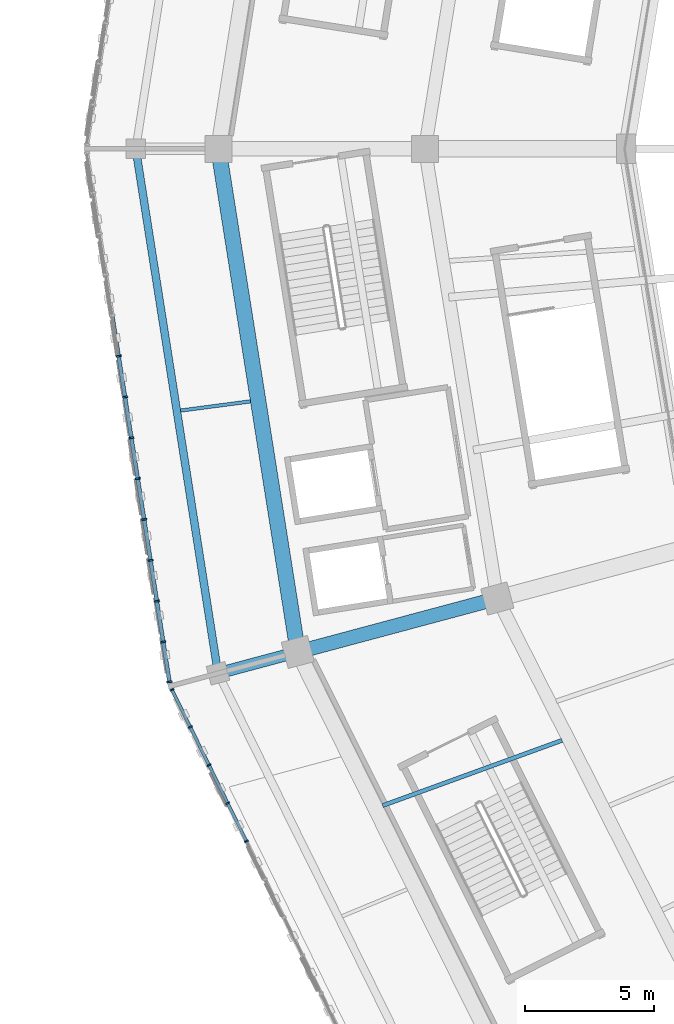
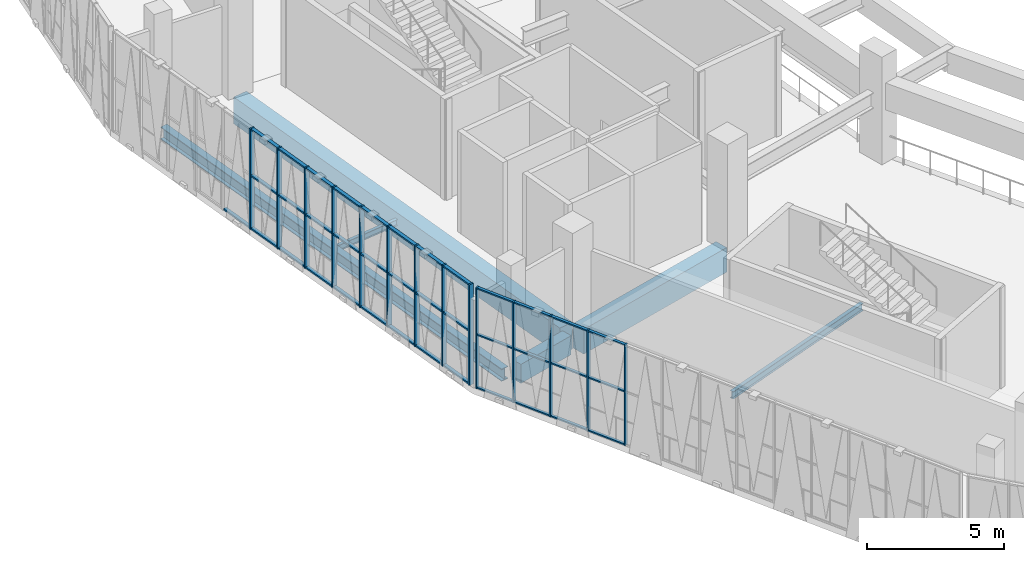
# One storey, part 19 of 179: 51 members, 6 beams, 2 elements without a shape of their own.
"""IFC4 building model written with IfcOpenShell, lengths in metres."""

from ifc_helpers import new_model, si_unit, direction, frame, origin, origin_2d, place, context, subcontext, project, spatial, rectangle, i_section, extrude, material, material_profile, profile_set, type_object, element, aggregate, save


model = new_model("IFC4")

# Units and contexts
model_context = context("Model", 3, precision=1e-05, world=origin(), true_north=direction((0.0, 1.0)))
body_context = subcontext(model_context, "Body", "Model", "MODEL_VIEW")
ifc_project = project(units=[si_unit("LENGTHUNIT", "METRE"), si_unit("AREAUNIT", "SQUARE_METRE"), si_unit("VOLUMEUNIT", "CUBIC_METRE"), si_unit("PLANEANGLEUNIT", "RADIAN"), si_unit("MASSUNIT", "GRAM", prefix="KILO")], contexts=[model_context])

# Site, building, storey
site_placement = place(None, origin())
site = spatial("IfcSite", under=ifc_project, at=site_placement, CompositionType="ELEMENT")
building_placement = place(site_placement, origin())
building = spatial("IfcBuilding", under=site, at=building_placement, Name="Zevraka Park Crest Stadium", CompositionType="ELEMENT")
storey_placement = place(building_placement, frame((0.0, 0.0, 10.199951171875)))
storey = spatial("IfcBuildingStorey", under=building, at=storey_placement, Name="L02", CompositionType="ELEMENT", Elevation=10.199951171875)

# Beams
ifc_material_1 = material(Name="Concrete C40/50", Category="concrete")
ifc_material_profile_1 = material_profile(ifc_material_1, rectangle(XDim=0.550048828125, YDim=1.10009765625, at=origin_2d()), Name="RC 1100x550")
ifc_profile_set_1 = profile_set([ifc_material_profile_1], Name="Concrete C40/50")
beam_type_1 = type_object("IfcBeamType", Name="BG02", PredefinedType="BEAM", material=ifc_profile_set_1)
beam_1_placement = place(storey_placement, frame((32.214111328125, 74.5029296875, -0.56005859375), z_axis=(-0.965968812251, -0.258658565986, 0.0), x_axis=(0.258658565986, -0.965968812251, 0.0)))
element("IfcBeam", 1, at=beam_1_placement, inside=storey, type_object=beam_type_1, Name="Radial Girder BG02 L02-CD-13", PredefinedType="BEAM", context=body_context, shape_type="SweptSolid", body=[
    extrude(rectangle(XDim=0.550048828125, YDim=1.10009765625, at=origin_2d()), origin(), (0.0, 0.0, 1.0), 7.39892578125),
])
ifc_material_2 = material(Name="Concrete C40/50", Category="concrete")
ifc_material_profile_2 = material_profile(ifc_material_2, rectangle(XDim=0.449951171875, YDim=0.85009765625, at=origin_2d()), Name="RC 850x450")
ifc_profile_set_2 = profile_set([ifc_material_profile_2], Name="Concrete C40/50")
beam_type_2 = type_object("IfcBeamType", Name="BG03", PredefinedType="BEAM", material=ifc_profile_set_2)
beam_2_placement = place(storey_placement, frame((24.487060546875, 72.43310546875, -0.43505859375), z_axis=(-0.965992888406, -0.258568636051, 0.0), x_axis=(0.258568636051, -0.965992888406, 0.0)))
element("IfcBeam", 2, at=beam_2_placement, inside=storey, type_object=beam_type_2, Name="Radial Girder BG03 L02-DE-13", PredefinedType="BEAM", context=body_context, shape_type="SweptSolid", body=[
    extrude(rectangle(XDim=0.449951171875, YDim=0.85009765625, at=origin_2d()), origin(), (0.0, 0.0, 1.0), 2.599365234375),
])

# Curtain wall, members
ifc_material_3 = material(Name="Anodised architectural aluminium and laminated safety glass", Category="aluminium")
curtain_wall_type_1 = type_object("IfcCurtainWallType", Name="CW07", PredefinedType="NOTDEFINED", material=ifc_material_3)
curtain_wall_1_placement = place(storey_placement, origin())
curtain_wall_1 = element("IfcCurtainWall", 3, at=curtain_wall_1_placement, inside=storey, type_object=curtain_wall_type_1, Name="Unitised Ring Curtain Wall CW07 L02-13", PredefinedType="NOTDEFINED")
ifc_material_4 = material(Name="Anodised architectural aluminium", Category="aluminium")
ifc_material_profile_3 = material_profile(ifc_material_4, rectangle(XDim=0.159912109375, YDim=0.06005859375, at=origin_2d()), Name="ALU MULLION 160x60")
ifc_profile_set_3 = profile_set([ifc_material_profile_3], Name="Anodised architectural aluminium")
member_type_1 = type_object("IfcMemberType", Name="CM01", PredefinedType="MULLION", material=ifc_profile_set_3)
member_1_placement = place(storey_placement, frame((19.901123046875, 71.048095703125, 0.0), z_axis=(0.0, 0.0, 1.0), x_axis=(0.897496768201, 0.441021032455, 0.0)))
member_1 = element("IfcMember", 4, at=member_1_placement, type_object=member_type_1, Name="CW07 mullion 1", PredefinedType="MULLION", context=body_context, shape_type="SweptSolid", body=[
    extrude(rectangle(XDim=0.159912109375, YDim=0.06005859375, at=origin_2d()), origin(), (0.0, 0.0, 1.0), 4.5),
])
member_2_placement = place(storey_placement, frame((20.6123046875, 69.600830078125, 0.0), z_axis=(0.0, 0.0, 1.0), x_axis=(0.897496768201, 0.441021032455, 0.0)))
member_2 = element("IfcMember", 5, at=member_2_placement, type_object=member_type_1, Name="CW07 mullion 2", PredefinedType="MULLION", context=body_context, shape_type="SweptSolid", body=[
    extrude(rectangle(XDim=0.159912109375, YDim=0.06005859375, at=origin_2d()), origin(), (0.0, 0.0, 1.0), 4.5),
])
member_3_placement = place(storey_placement, frame((21.336669921875, 68.126708984375, 0.0), z_axis=(0.0, 0.0, 1.0), x_axis=(0.897496768201, 0.441021032455, 0.0)))
member_3 = element("IfcMember", 6, at=member_3_placement, type_object=member_type_1, Name="CW07 mullion 3", PredefinedType="MULLION", context=body_context, shape_type="SweptSolid", body=[
    extrude(rectangle(XDim=0.159912109375, YDim=0.06005859375, at=origin_2d()), origin(), (0.0, 0.0, 1.0), 4.5),
])
member_4_placement = place(storey_placement, frame((22.06103515625, 66.652587890625, 0.0), z_axis=(0.0, 0.0, 1.0), x_axis=(0.897496768201, 0.441021032455, 0.0)))
member_4 = element("IfcMember", 7, at=member_4_placement, type_object=member_type_1, Name="CW07 mullion 4", PredefinedType="MULLION", context=body_context, shape_type="SweptSolid", body=[
    extrude(rectangle(XDim=0.159912109375, YDim=0.06005859375, at=origin_2d()), origin(), (0.0, 0.0, 1.0), 4.5),
])
member_5_placement = place(storey_placement, frame((22.78564453125, 65.178466796875, 0.0), z_axis=(0.0, 0.0, 1.0), x_axis=(0.897496768201, 0.441021032455, 0.0)))
member_5 = element("IfcMember", 8, at=member_5_placement, type_object=member_type_1, Name="CW07 mullion 5", PredefinedType="MULLION", context=body_context, shape_type="SweptSolid", body=[
    extrude(rectangle(XDim=0.159912109375, YDim=0.06005859375, at=origin_2d()), origin(), (0.0, 0.0, 1.0), 4.5),
])

ifc_material_5 = material(Name="Anodised architectural aluminium and laminated safety glass", Category="aluminium")
curtain_wall_type_2 = type_object("IfcCurtainWallType", Name="CW06", PredefinedType="NOTDEFINED", material=ifc_material_5)
curtain_wall_2_placement = place(storey_placement, origin())
curtain_wall_2 = element("IfcCurtainWall", 9, at=curtain_wall_2_placement, inside=storey, type_object=curtain_wall_type_2, Name="Unitised Ring Curtain Wall CW06 L02-12", PredefinedType="NOTDEFINED")
ifc_material_6 = material(Name="Anodised architectural aluminium", Category="aluminium")
ifc_material_profile_4 = material_profile(ifc_material_6, rectangle(XDim=0.199951171875, YDim=0.070068359375, at=origin_2d()), Name="ALU MULLION 200x70")
ifc_profile_set_4 = profile_set([ifc_material_profile_4], Name="Anodised architectural aluminium")
member_type_2 = type_object("IfcMemberType", Name="CM03", PredefinedType="MULLION", material=ifc_profile_set_4)
member_6_placement = place(storey_placement, frame((17.835693359375, 83.967041015625, 0.0), z_axis=(0.0, 0.0, 1.0), x_axis=(0.988028063865, 0.154274252598, 0.0)))
member_6 = element("IfcMember", 10, at=member_6_placement, type_object=member_type_2, Name="CW06 mullion 6", PredefinedType="MULLION", context=body_context, shape_type="SweptSolid", body=[
    extrude(rectangle(XDim=0.199951171875, YDim=0.070068359375, at=origin_2d()), origin(), (0.0, 0.0, 1.0), 4.5),
])
member_7_placement = place(storey_placement, frame((18.08251953125, 82.3857421875, 0.0), z_axis=(0.0, 0.0, 1.0), x_axis=(0.988028063865, 0.154274252598, 0.0)))
member_7 = element("IfcMember", 11, at=member_7_placement, type_object=member_type_2, Name="CW06 mullion 7", PredefinedType="MULLION", context=body_context, shape_type="SweptSolid", body=[
    extrude(rectangle(XDim=0.199951171875, YDim=0.070068359375, at=origin_2d()), origin(), (0.0, 0.0, 1.0), 4.5),
])
member_8_placement = place(storey_placement, frame((18.329345703125, 80.80419921875, 0.0), z_axis=(0.0, 0.0, 1.0), x_axis=(0.988028063865, 0.154274252598, 0.0)))
member_8 = element("IfcMember", 12, at=member_8_placement, type_object=member_type_2, Name="CW06 mullion 8", PredefinedType="MULLION", context=body_context, shape_type="SweptSolid", body=[
    extrude(rectangle(XDim=0.199951171875, YDim=0.070068359375, at=origin_2d()), origin(), (0.0, 0.0, 1.0), 4.5),
])
member_9_placement = place(storey_placement, frame((18.576416015625, 79.222900390625, 0.0), z_axis=(0.0, 0.0, 1.0), x_axis=(0.988028063865, 0.154274252598, 0.0)))
member_9 = element("IfcMember", 13, at=member_9_placement, type_object=member_type_2, Name="CW06 mullion 9", PredefinedType="MULLION", context=body_context, shape_type="SweptSolid", body=[
    extrude(rectangle(XDim=0.199951171875, YDim=0.070068359375, at=origin_2d()), origin(), (0.0, 0.0, 1.0), 4.5),
])
member_10_placement = place(storey_placement, frame((18.8232421875, 77.6416015625, 0.0), z_axis=(0.0, 0.0, 1.0), x_axis=(0.988028063865, 0.154274252598, 0.0)))
member_10 = element("IfcMember", 14, at=member_10_placement, type_object=member_type_2, Name="CW06 mullion 10", PredefinedType="MULLION", context=body_context, shape_type="SweptSolid", body=[
    extrude(rectangle(XDim=0.199951171875, YDim=0.070068359375, at=origin_2d()), origin(), (0.0, 0.0, 1.0), 4.5),
])
member_11_placement = place(storey_placement, frame((19.0703125, 76.06005859375, 0.0), z_axis=(0.0, 0.0, 1.0), x_axis=(0.988028063865, 0.154274252598, 0.0)))
member_11 = element("IfcMember", 15, at=member_11_placement, type_object=member_type_2, Name="CW06 mullion 11", PredefinedType="MULLION", context=body_context, shape_type="SweptSolid", body=[
    extrude(rectangle(XDim=0.199951171875, YDim=0.070068359375, at=origin_2d()), origin(), (0.0, 0.0, 1.0), 4.5),
])
member_12_placement = place(storey_placement, frame((19.317138671875, 74.478759765625, 0.0), z_axis=(0.0, 0.0, 1.0), x_axis=(0.988028063865, 0.154274252598, 0.0)))
member_12 = element("IfcMember", 16, at=member_12_placement, type_object=member_type_2, Name="CW06 mullion 12", PredefinedType="MULLION", context=body_context, shape_type="SweptSolid", body=[
    extrude(rectangle(XDim=0.199951171875, YDim=0.070068359375, at=origin_2d()), origin(), (0.0, 0.0, 1.0), 4.5),
])
member_13_placement = place(storey_placement, frame((19.56396484375, 72.8974609375, 0.0), z_axis=(0.0, 0.0, 1.0), x_axis=(0.988028063865, 0.154274252598, 0.0)))
member_13 = element("IfcMember", 17, at=member_13_placement, type_object=member_type_2, Name="CW06 mullion 13", PredefinedType="MULLION", context=body_context, shape_type="SweptSolid", body=[
    extrude(rectangle(XDim=0.199951171875, YDim=0.070068359375, at=origin_2d()), origin(), (0.0, 0.0, 1.0), 4.5),
])
member_14_placement = place(storey_placement, frame((19.8056640625, 71.3505859375, 0.0), z_axis=(0.0, 0.0, 1.0), x_axis=(0.988028063865, 0.154274252598, 0.0)))
member_14 = element("IfcMember", 18, at=member_14_placement, type_object=member_type_2, Name="CW06 mullion 14", PredefinedType="MULLION", context=body_context, shape_type="SweptSolid", body=[
    extrude(rectangle(XDim=0.199951171875, YDim=0.070068359375, at=origin_2d()), origin(), (0.0, 0.0, 1.0), 4.5),
])

# Member
ifc_material_7 = material(Name="Anodised architectural aluminium", Category="aluminium")
ifc_material_profile_5 = material_profile(ifc_material_7, rectangle(XDim=0.1201171875, YDim=0.06005859375, at=origin_2d()), Name="ALU TRANSOM 120x60")
ifc_profile_set_5 = profile_set([ifc_material_profile_5], Name="Anodised architectural aluminium")
member_type_3 = type_object("IfcMemberType", Name="CT01", PredefinedType="USERDEFINED", material=ifc_profile_set_5)
member_15_placement = place(storey_placement, frame((19.91455078125, 71.021240234375, 0.030029296875), z_axis=(0.440912769213, -0.897549959582, 0.0), x_axis=(0.897549959582, 0.440912769213, 0.0)))
member_15 = element("IfcMember", 19, at=member_15_placement, type_object=member_type_3, Name="CW07 transom 1.1", ObjectType="TRANSOM", PredefinedType="USERDEFINED", context=body_context, shape_type="SweptSolid", body=[
    extrude(rectangle(XDim=0.1201171875, YDim=0.06005859375, at=origin_2d()), origin(), (0.0, 0.0, 1.0), 1.552734375),
])

member_16_placement = place(storey_placement, frame((19.91455078125, 71.021240234375, 2.400146484375), z_axis=(0.440912769213, -0.897549959582, 0.0), x_axis=(0.897549959582, 0.440912769213, 0.0)))
member_16 = element("IfcMember", 20, at=member_16_placement, type_object=member_type_3, Name="CW07 transom 1.2", ObjectType="TRANSOM", PredefinedType="USERDEFINED", context=body_context, shape_type="SweptSolid", body=[
    extrude(rectangle(XDim=0.1201171875, YDim=0.06005859375, at=origin_2d()), origin(), (0.0, 0.0, 1.0), 1.552734375),
])

member_17_placement = place(storey_placement, frame((19.91455078125, 71.021240234375, 4.469970703125), z_axis=(0.440912769213, -0.897549959582, 0.0), x_axis=(0.897549959582, 0.440912769213, 0.0)))
member_17 = element("IfcMember", 21, at=member_17_placement, type_object=member_type_3, Name="CW07 transom 1.3", ObjectType="TRANSOM", PredefinedType="USERDEFINED", context=body_context, shape_type="SweptSolid", body=[
    extrude(rectangle(XDim=0.1201171875, YDim=0.06005859375, at=origin_2d()), origin(), (0.0, 0.0, 1.0), 1.552734375),
])

member_18_placement = place(storey_placement, frame((20.625732421875, 69.573974609375, 0.030029296875), z_axis=(0.440908240413, -0.897552184297, 0.0), x_axis=(0.897552184297, 0.440908240413, 0.0)))
member_18 = element("IfcMember", 22, at=member_18_placement, type_object=member_type_3, Name="CW07 transom 2.1", ObjectType="TRANSOM", PredefinedType="USERDEFINED", context=body_context, shape_type="SweptSolid", body=[
    extrude(rectangle(XDim=0.1201171875, YDim=0.06005859375, at=origin_2d()), origin(), (0.0, 0.0, 1.0), 1.58251953125),
])

member_19_placement = place(storey_placement, frame((20.625732421875, 69.573974609375, 2.400146484375), z_axis=(0.440908240413, -0.897552184297, 0.0), x_axis=(0.897552184297, 0.440908240413, 0.0)))
member_19 = element("IfcMember", 23, at=member_19_placement, type_object=member_type_3, Name="CW07 transom 2.2", ObjectType="TRANSOM", PredefinedType="USERDEFINED", context=body_context, shape_type="SweptSolid", body=[
    extrude(rectangle(XDim=0.1201171875, YDim=0.06005859375, at=origin_2d()), origin(), (0.0, 0.0, 1.0), 1.58251953125),
])

member_20_placement = place(storey_placement, frame((20.625732421875, 69.573974609375, 4.469970703125), z_axis=(0.440908240413, -0.897552184297, 0.0), x_axis=(0.897552184297, 0.440908240413, 0.0)))
member_20 = element("IfcMember", 24, at=member_20_placement, type_object=member_type_3, Name="CW07 transom 2.3", ObjectType="TRANSOM", PredefinedType="USERDEFINED", context=body_context, shape_type="SweptSolid", body=[
    extrude(rectangle(XDim=0.1201171875, YDim=0.06005859375, at=origin_2d()), origin(), (0.0, 0.0, 1.0), 1.58251953125),
])

member_21_placement = place(storey_placement, frame((21.35009765625, 68.099853515625, 0.030029296875), z_axis=(0.440908240413, -0.897552184297, 0.0), x_axis=(0.897552184297, 0.440908240413, 0.0)))
member_21 = element("IfcMember", 25, at=member_21_placement, type_object=member_type_3, Name="CW07 transom 3.1", ObjectType="TRANSOM", PredefinedType="USERDEFINED", context=body_context, shape_type="SweptSolid", body=[
    extrude(rectangle(XDim=0.1201171875, YDim=0.06005859375, at=origin_2d()), origin(), (0.0, 0.0, 1.0), 1.58251953125),
])

member_22_placement = place(storey_placement, frame((21.35009765625, 68.099853515625, 2.400146484375), z_axis=(0.440908240413, -0.897552184297, 0.0), x_axis=(0.897552184297, 0.440908240413, 0.0)))
member_22 = element("IfcMember", 26, at=member_22_placement, type_object=member_type_3, Name="CW07 transom 3.2", ObjectType="TRANSOM", PredefinedType="USERDEFINED", context=body_context, shape_type="SweptSolid", body=[
    extrude(rectangle(XDim=0.1201171875, YDim=0.06005859375, at=origin_2d()), origin(), (0.0, 0.0, 1.0), 1.58251953125),
])

member_23_placement = place(storey_placement, frame((21.35009765625, 68.099853515625, 4.469970703125), z_axis=(0.440908240413, -0.897552184297, 0.0), x_axis=(0.897552184297, 0.440908240413, 0.0)))
member_23 = element("IfcMember", 27, at=member_23_placement, type_object=member_type_3, Name="CW07 transom 3.3", ObjectType="TRANSOM", PredefinedType="USERDEFINED", context=body_context, shape_type="SweptSolid", body=[
    extrude(rectangle(XDim=0.1201171875, YDim=0.06005859375, at=origin_2d()), origin(), (0.0, 0.0, 1.0), 1.58251953125),
])

member_24_placement = place(storey_placement, frame((22.074462890625, 66.625732421875, 0.030029296875), z_axis=(0.440908240413, -0.897552184297, 0.0), x_axis=(0.897552184297, 0.440908240413, 0.0)))
member_24 = element("IfcMember", 28, at=member_24_placement, type_object=member_type_3, Name="CW07 transom 4.1", ObjectType="TRANSOM", PredefinedType="USERDEFINED", context=body_context, shape_type="SweptSolid", body=[
    extrude(rectangle(XDim=0.1201171875, YDim=0.06005859375, at=origin_2d()), origin(), (0.0, 0.0, 1.0), 1.58251953125),
])

member_25_placement = place(storey_placement, frame((22.074462890625, 66.625732421875, 2.400146484375), z_axis=(0.440908240413, -0.897552184297, 0.0), x_axis=(0.897552184297, 0.440908240413, 0.0)))
member_25 = element("IfcMember", 29, at=member_25_placement, type_object=member_type_3, Name="CW07 transom 4.2", ObjectType="TRANSOM", PredefinedType="USERDEFINED", context=body_context, shape_type="SweptSolid", body=[
    extrude(rectangle(XDim=0.1201171875, YDim=0.06005859375, at=origin_2d()), origin(), (0.0, 0.0, 1.0), 1.58251953125),
])

member_26_placement = place(storey_placement, frame((22.074462890625, 66.625732421875, 4.469970703125), z_axis=(0.440908240413, -0.897552184297, 0.0), x_axis=(0.897552184297, 0.440908240413, 0.0)))
member_26 = element("IfcMember", 30, at=member_26_placement, type_object=member_type_3, Name="CW07 transom 4.3", ObjectType="TRANSOM", PredefinedType="USERDEFINED", context=body_context, shape_type="SweptSolid", body=[
    extrude(rectangle(XDim=0.1201171875, YDim=0.06005859375, at=origin_2d()), origin(), (0.0, 0.0, 1.0), 1.58251953125),
])

aggregate(curtain_wall_1, [member_1, member_2, member_3, member_4, member_5, member_15, member_16, member_17, member_18, member_19, member_20, member_21, member_22, member_23, member_24, member_25, member_26])

ifc_material_8 = material(Name="Anodised architectural aluminium", Category="aluminium")
ifc_material_profile_6 = material_profile(ifc_material_8, rectangle(XDim=0.14990234375, YDim=0.070068359375, at=origin_2d()), Name="ALU TRANSOM 150x70")
ifc_profile_set_6 = profile_set([ifc_material_profile_6], Name="Anodised architectural aluminium")
member_type_4 = type_object("IfcMemberType", Name="CT03", PredefinedType="USERDEFINED", material=ifc_profile_set_6)
member_27_placement = place(storey_placement, frame((17.593994140625, 85.513916015625, 0.03515625), z_axis=(0.154406075629, -0.988007471535, 0.0), x_axis=(0.988007471535, 0.154406075629, 0.0)))
member_27 = element("IfcMember", 31, at=member_27_placement, type_object=member_type_4, Name="CW06 transom 5.1", ObjectType="TRANSOM", PredefinedType="USERDEFINED", context=body_context, shape_type="SweptSolid", body=[
    extrude(rectangle(XDim=0.14990234375, YDim=0.070068359375, at=origin_2d()), origin(), (0.0, 0.0, 1.0), 1.530517578125),
])

member_28_placement = place(storey_placement, frame((17.841064453125, 83.9326171875, 0.03515625), z_axis=(0.154226055514, -0.988035588327, 0.0), x_axis=(0.988035588327, 0.154226055514, 0.0)))
member_28 = element("IfcMember", 32, at=member_28_placement, type_object=member_type_4, Name="CW06 transom 6.1", ObjectType="TRANSOM", PredefinedType="USERDEFINED", context=body_context, shape_type="SweptSolid", body=[
    extrude(rectangle(XDim=0.14990234375, YDim=0.070068359375, at=origin_2d()), origin(), (0.0, 0.0, 1.0), 1.53076171875),
])

member_29_placement = place(storey_placement, frame((17.841064453125, 83.9326171875, 2.400146484375), z_axis=(0.154226055514, -0.988035588327, 0.0), x_axis=(0.988035588327, 0.154226055514, 0.0)))
member_29 = element("IfcMember", 33, at=member_29_placement, type_object=member_type_4, Name="CW06 transom 6.2", ObjectType="TRANSOM", PredefinedType="USERDEFINED", context=body_context, shape_type="SweptSolid", body=[
    extrude(rectangle(XDim=0.14990234375, YDim=0.070068359375, at=origin_2d()), origin(), (0.0, 0.0, 1.0), 1.53076171875),
])

member_30_placement = place(storey_placement, frame((17.841064453125, 83.9326171875, 4.465087890625), z_axis=(0.154226055514, -0.988035588327, 0.0), x_axis=(0.988035588327, 0.154226055514, 0.0)))
member_30 = element("IfcMember", 34, at=member_30_placement, type_object=member_type_4, Name="CW06 transom 6.3", ObjectType="TRANSOM", PredefinedType="USERDEFINED", context=body_context, shape_type="SweptSolid", body=[
    extrude(rectangle(XDim=0.14990234375, YDim=0.070068359375, at=origin_2d()), origin(), (0.0, 0.0, 1.0), 1.53076171875),
])

member_31_placement = place(storey_placement, frame((18.087890625, 82.35107421875, 0.03515625), z_axis=(0.154250362395, -0.988031793872, 0.0), x_axis=(0.988031793872, 0.154250362395, 0.0)))
member_31 = element("IfcMember", 35, at=member_31_placement, type_object=member_type_4, Name="CW06 transom 7.1", ObjectType="TRANSOM", PredefinedType="USERDEFINED", context=body_context, shape_type="SweptSolid", body=[
    extrude(rectangle(XDim=0.14990234375, YDim=0.070068359375, at=origin_2d()), origin(), (0.0, 0.0, 1.0), 1.530517578125),
])

member_32_placement = place(storey_placement, frame((18.087890625, 82.35107421875, 2.400146484375), z_axis=(0.154250362395, -0.988031793872, 0.0), x_axis=(0.988031793872, 0.154250362395, 0.0)))
member_32 = element("IfcMember", 36, at=member_32_placement, type_object=member_type_4, Name="CW06 transom 7.2", ObjectType="TRANSOM", PredefinedType="USERDEFINED", context=body_context, shape_type="SweptSolid", body=[
    extrude(rectangle(XDim=0.14990234375, YDim=0.070068359375, at=origin_2d()), origin(), (0.0, 0.0, 1.0), 1.530517578125),
])

member_33_placement = place(storey_placement, frame((18.087890625, 82.35107421875, 4.465087890625), z_axis=(0.154250362395, -0.988031793872, 0.0), x_axis=(0.988031793872, 0.154250362395, 0.0)))
member_33 = element("IfcMember", 37, at=member_33_placement, type_object=member_type_4, Name="CW06 transom 7.3", ObjectType="TRANSOM", PredefinedType="USERDEFINED", context=body_context, shape_type="SweptSolid", body=[
    extrude(rectangle(XDim=0.14990234375, YDim=0.070068359375, at=origin_2d()), origin(), (0.0, 0.0, 1.0), 1.530517578125),
])

member_34_placement = place(storey_placement, frame((18.3349609375, 80.769775390625, 0.03515625), z_axis=(0.154250362395, -0.988031793872, 0.0), x_axis=(0.988031793872, 0.154250362395, 0.0)))
member_34 = element("IfcMember", 38, at=member_34_placement, type_object=member_type_4, Name="CW06 transom 8.1", ObjectType="TRANSOM", PredefinedType="USERDEFINED", context=body_context, shape_type="SweptSolid", body=[
    extrude(rectangle(XDim=0.14990234375, YDim=0.070068359375, at=origin_2d()), origin(), (0.0, 0.0, 1.0), 1.530517578125),
])

member_35_placement = place(storey_placement, frame((18.3349609375, 80.769775390625, 2.400146484375), z_axis=(0.154250362395, -0.988031793872, 0.0), x_axis=(0.988031793872, 0.154250362395, 0.0)))
member_35 = element("IfcMember", 39, at=member_35_placement, type_object=member_type_4, Name="CW06 transom 8.2", ObjectType="TRANSOM", PredefinedType="USERDEFINED", context=body_context, shape_type="SweptSolid", body=[
    extrude(rectangle(XDim=0.14990234375, YDim=0.070068359375, at=origin_2d()), origin(), (0.0, 0.0, 1.0), 1.530517578125),
])

member_36_placement = place(storey_placement, frame((18.3349609375, 80.769775390625, 4.465087890625), z_axis=(0.154250362395, -0.988031793872, 0.0), x_axis=(0.988031793872, 0.154250362395, 0.0)))
member_36 = element("IfcMember", 40, at=member_36_placement, type_object=member_type_4, Name="CW06 transom 8.3", ObjectType="TRANSOM", PredefinedType="USERDEFINED", context=body_context, shape_type="SweptSolid", body=[
    extrude(rectangle(XDim=0.14990234375, YDim=0.070068359375, at=origin_2d()), origin(), (0.0, 0.0, 1.0), 1.530517578125),
])

member_37_placement = place(storey_placement, frame((18.581787109375, 79.188232421875, 0.03515625), z_axis=(0.154250362395, -0.988031793872, 0.0), x_axis=(0.988031793872, 0.154250362395, 0.0)))
member_37 = element("IfcMember", 41, at=member_37_placement, type_object=member_type_4, Name="CW06 transom 9.1", ObjectType="TRANSOM", PredefinedType="USERDEFINED", context=body_context, shape_type="SweptSolid", body=[
    extrude(rectangle(XDim=0.14990234375, YDim=0.070068359375, at=origin_2d()), origin(), (0.0, 0.0, 1.0), 1.530517578125),
])

member_38_placement = place(storey_placement, frame((18.581787109375, 79.188232421875, 2.400146484375), z_axis=(0.154250362395, -0.988031793872, 0.0), x_axis=(0.988031793872, 0.154250362395, 0.0)))
member_38 = element("IfcMember", 42, at=member_38_placement, type_object=member_type_4, Name="CW06 transom 9.2", ObjectType="TRANSOM", PredefinedType="USERDEFINED", context=body_context, shape_type="SweptSolid", body=[
    extrude(rectangle(XDim=0.14990234375, YDim=0.070068359375, at=origin_2d()), origin(), (0.0, 0.0, 1.0), 1.530517578125),
])

member_39_placement = place(storey_placement, frame((18.581787109375, 79.188232421875, 4.465087890625), z_axis=(0.154250362395, -0.988031793872, 0.0), x_axis=(0.988031793872, 0.154250362395, 0.0)))
member_39 = element("IfcMember", 43, at=member_39_placement, type_object=member_type_4, Name="CW06 transom 9.3", ObjectType="TRANSOM", PredefinedType="USERDEFINED", context=body_context, shape_type="SweptSolid", body=[
    extrude(rectangle(XDim=0.14990234375, YDim=0.070068359375, at=origin_2d()), origin(), (0.0, 0.0, 1.0), 1.530517578125),
])

member_40_placement = place(storey_placement, frame((18.82861328125, 77.60693359375, 0.03515625), z_axis=(0.154406075629, -0.988007471535, 0.0), x_axis=(0.988007471535, 0.154406075629, 0.0)))
member_40 = element("IfcMember", 44, at=member_40_placement, type_object=member_type_4, Name="CW06 transom 10.1", ObjectType="TRANSOM", PredefinedType="USERDEFINED", context=body_context, shape_type="SweptSolid", body=[
    extrude(rectangle(XDim=0.14990234375, YDim=0.070068359375, at=origin_2d()), origin(), (0.0, 0.0, 1.0), 1.530517578125),
])

member_41_placement = place(storey_placement, frame((18.82861328125, 77.60693359375, 2.400146484375), z_axis=(0.154406075629, -0.988007471535, 0.0), x_axis=(0.988007471535, 0.154406075629, 0.0)))
member_41 = element("IfcMember", 45, at=member_41_placement, type_object=member_type_4, Name="CW06 transom 10.2", ObjectType="TRANSOM", PredefinedType="USERDEFINED", context=body_context, shape_type="SweptSolid", body=[
    extrude(rectangle(XDim=0.14990234375, YDim=0.070068359375, at=origin_2d()), origin(), (0.0, 0.0, 1.0), 1.530517578125),
])

member_42_placement = place(storey_placement, frame((18.82861328125, 77.60693359375, 4.465087890625), z_axis=(0.154406075629, -0.988007471535, 0.0), x_axis=(0.988007471535, 0.154406075629, 0.0)))
member_42 = element("IfcMember", 46, at=member_42_placement, type_object=member_type_4, Name="CW06 transom 10.3", ObjectType="TRANSOM", PredefinedType="USERDEFINED", context=body_context, shape_type="SweptSolid", body=[
    extrude(rectangle(XDim=0.14990234375, YDim=0.070068359375, at=origin_2d()), origin(), (0.0, 0.0, 1.0), 1.530517578125),
])

member_43_placement = place(storey_placement, frame((19.07568359375, 76.025634765625, 0.03515625), z_axis=(0.154250362395, -0.988031793872, 0.0), x_axis=(0.988031793872, 0.154250362395, 0.0)))
member_43 = element("IfcMember", 47, at=member_43_placement, type_object=member_type_4, Name="CW06 transom 11.1", ObjectType="TRANSOM", PredefinedType="USERDEFINED", context=body_context, shape_type="SweptSolid", body=[
    extrude(rectangle(XDim=0.14990234375, YDim=0.070068359375, at=origin_2d()), origin(), (0.0, 0.0, 1.0), 1.530517578125),
])

member_44_placement = place(storey_placement, frame((19.07568359375, 76.025634765625, 2.400146484375), z_axis=(0.154250362395, -0.988031793872, 0.0), x_axis=(0.988031793872, 0.154250362395, 0.0)))
member_44 = element("IfcMember", 48, at=member_44_placement, type_object=member_type_4, Name="CW06 transom 11.2", ObjectType="TRANSOM", PredefinedType="USERDEFINED", context=body_context, shape_type="SweptSolid", body=[
    extrude(rectangle(XDim=0.14990234375, YDim=0.070068359375, at=origin_2d()), origin(), (0.0, 0.0, 1.0), 1.530517578125),
])

member_45_placement = place(storey_placement, frame((19.07568359375, 76.025634765625, 4.465087890625), z_axis=(0.154250362395, -0.988031793872, 0.0), x_axis=(0.988031793872, 0.154250362395, 0.0)))
member_45 = element("IfcMember", 49, at=member_45_placement, type_object=member_type_4, Name="CW06 transom 11.3", ObjectType="TRANSOM", PredefinedType="USERDEFINED", context=body_context, shape_type="SweptSolid", body=[
    extrude(rectangle(XDim=0.14990234375, YDim=0.070068359375, at=origin_2d()), origin(), (0.0, 0.0, 1.0), 1.530517578125),
])

member_46_placement = place(storey_placement, frame((19.322509765625, 74.444091796875, 0.03515625), z_axis=(0.154250362395, -0.988031793872, 0.0), x_axis=(0.988031793872, 0.154250362395, 0.0)))
member_46 = element("IfcMember", 50, at=member_46_placement, type_object=member_type_4, Name="CW06 transom 12.1", ObjectType="TRANSOM", PredefinedType="USERDEFINED", context=body_context, shape_type="SweptSolid", body=[
    extrude(rectangle(XDim=0.14990234375, YDim=0.070068359375, at=origin_2d()), origin(), (0.0, 0.0, 1.0), 1.530517578125),
])

member_47_placement = place(storey_placement, frame((19.322509765625, 74.444091796875, 2.400146484375), z_axis=(0.154250362395, -0.988031793872, 0.0), x_axis=(0.988031793872, 0.154250362395, 0.0)))
member_47 = element("IfcMember", 51, at=member_47_placement, type_object=member_type_4, Name="CW06 transom 12.2", ObjectType="TRANSOM", PredefinedType="USERDEFINED", context=body_context, shape_type="SweptSolid", body=[
    extrude(rectangle(XDim=0.14990234375, YDim=0.070068359375, at=origin_2d()), origin(), (0.0, 0.0, 1.0), 1.530517578125),
])

member_48_placement = place(storey_placement, frame((19.322509765625, 74.444091796875, 4.465087890625), z_axis=(0.154250362395, -0.988031793872, 0.0), x_axis=(0.988031793872, 0.154250362395, 0.0)))
member_48 = element("IfcMember", 52, at=member_48_placement, type_object=member_type_4, Name="CW06 transom 12.3", ObjectType="TRANSOM", PredefinedType="USERDEFINED", context=body_context, shape_type="SweptSolid", body=[
    extrude(rectangle(XDim=0.14990234375, YDim=0.070068359375, at=origin_2d()), origin(), (0.0, 0.0, 1.0), 1.530517578125),
])

member_49_placement = place(storey_placement, frame((19.569580078125, 72.86279296875, 0.03515625), z_axis=(0.15427727598, -0.988027591779, 0.0), x_axis=(0.988027591779, 0.15427727598, 0.0)))
member_49 = element("IfcMember", 53, at=member_49_placement, type_object=member_type_4, Name="CW06 transom 13.1", ObjectType="TRANSOM", PredefinedType="USERDEFINED", context=body_context, shape_type="SweptSolid", body=[
    extrude(rectangle(XDim=0.14990234375, YDim=0.070068359375, at=origin_2d()), origin(), (0.0, 0.0, 1.0), 1.495361328125),
])

member_50_placement = place(storey_placement, frame((19.569580078125, 72.86279296875, 2.400146484375), z_axis=(0.15427727598, -0.988027591779, 0.0), x_axis=(0.988027591779, 0.15427727598, 0.0)))
member_50 = element("IfcMember", 54, at=member_50_placement, type_object=member_type_4, Name="CW06 transom 13.2", ObjectType="TRANSOM", PredefinedType="USERDEFINED", context=body_context, shape_type="SweptSolid", body=[
    extrude(rectangle(XDim=0.14990234375, YDim=0.070068359375, at=origin_2d()), origin(), (0.0, 0.0, 1.0), 1.495361328125),
])

member_51_placement = place(storey_placement, frame((19.569580078125, 72.86279296875, 4.465087890625), z_axis=(0.15427727598, -0.988027591779, 0.0), x_axis=(0.988027591779, 0.15427727598, 0.0)))
member_51 = element("IfcMember", 55, at=member_51_placement, type_object=member_type_4, Name="CW06 transom 13.3", ObjectType="TRANSOM", PredefinedType="USERDEFINED", context=body_context, shape_type="SweptSolid", body=[
    extrude(rectangle(XDim=0.14990234375, YDim=0.070068359375, at=origin_2d()), origin(), (0.0, 0.0, 1.0), 1.495361328125),
])

aggregate(curtain_wall_2, [member_6, member_7, member_8, member_9, member_10, member_11, member_12, member_13, member_14, member_27, member_28, member_29, member_30, member_31, member_32, member_33, member_34, member_35, member_36, member_37, member_38, member_39, member_40, member_41, member_42, member_43, member_44, member_45, member_46, member_47, member_48, member_49, member_50, member_51])

# Beams
ifc_material_9 = material(Name="Concrete C40/50", Category="concrete")
ifc_material_profile_7 = material_profile(ifc_material_9, rectangle(XDim=0.60009765625, YDim=1.199951171875, at=origin_2d()), Name="RC 1200x600")
ifc_profile_set_7 = profile_set([ifc_material_profile_7], Name="Concrete C40/50")
beam_type_3 = type_object("IfcBeamType", Name="RB01", PredefinedType="BEAM", material=ifc_profile_set_7)
beam_3_placement = place(storey_placement, frame((21.759033203125, 91.625, -0.60986328125), z_axis=(0.155972486086, -0.987761400129, 0.0), x_axis=(0.987761400129, 0.155972486086, 0.0)))
element("IfcBeam", 56, at=beam_3_placement, inside=storey, type_object=beam_type_3, Name="Ring Beam RB01 L02-D-12", PredefinedType="BEAM", context=body_context, shape_type="SweptSolid", body=[
    extrude(rectangle(XDim=0.60009765625, YDim=1.199951171875, at=origin_2d()), origin(), (0.0, 0.0, 1.0), 18.97119140625),
])
ifc_material_10 = material(Name="Steel S355", Category="steel")
ifc_material_profile_8 = material_profile(ifc_material_10, i_section(OverallWidth=0.300048828125, OverallDepth=0.550048828125, WebThickness=0.014892578125, FlangeThickness=0.029052734375, at=origin_2d()), Name="HEB 550")
ifc_profile_set_8 = profile_set([ifc_material_profile_8], Name="Steel S355")
beam_type_4 = type_object("IfcBeamType", Name="RB04", PredefinedType="BEAM", material=ifc_profile_set_8)
beam_4_placement = place(storey_placement, frame((18.553955078125, 91.654052734375, -0.5849609375), z_axis=(0.154952716421, -0.987921887435, 0.0), x_axis=(0.987921887435, 0.154952716421, 0.0)))
element("IfcBeam", 57, at=beam_4_placement, inside=storey, type_object=beam_type_4, Name="Ring Beam RB04 L02-E-12", PredefinedType="BEAM", context=body_context, shape_type="SweptSolid", body=[
    extrude(i_section(OverallWidth=0.300048828125, OverallDepth=0.550048828125, WebThickness=0.014892578125, FlangeThickness=0.029052734375, at=origin_2d()), origin(), (0.0, 0.0, 1.0), 19.864990234375),
])
ifc_material_11 = material(Name="Steel S355", Category="steel")
ifc_material_profile_9 = material_profile(ifc_material_11, i_section(OverallWidth=0.135009765625, OverallDepth=0.27001953125, WebThickness=0.006591796875, FlangeThickness=0.01025390625, at=origin_2d()), Name="IPE 270")
ifc_profile_set_9 = profile_set([ifc_material_profile_9], Name="Steel S355")
beam_type_5 = type_object("IfcBeamType", Name="SJ07", PredefinedType="JOIST", material=ifc_profile_set_9)
beam_5_placement = place(storey_placement, frame((22.946044921875, 82.217041015625, -0.4228515625), z_axis=(-0.991431166896, -0.130630169971, 0.0), x_axis=(0.130630169971, -0.991431166896, 0.0)))
element("IfcBeam", 58, at=beam_5_placement, inside=storey, type_object=beam_type_5, Name="Floor Joist SJ07 L02-DE-12-1", PredefinedType="JOIST", context=body_context, shape_type="SweptSolid", body=[
    extrude(i_section(OverallWidth=0.135009765625, OverallDepth=0.27001953125, WebThickness=0.006591796875, FlangeThickness=0.01025390625, at=origin_2d()), origin(), (0.0, 0.0, 1.0), 2.732421875),
])
ifc_material_12 = material(Name="Steel S355", Category="steel")
ifc_material_profile_10 = material_profile(ifc_material_12, i_section(OverallWidth=0.159912109375, OverallDepth=0.330078125, WebThickness=0.007568359375, FlangeThickness=0.011474609375, at=origin_2d()), Name="IPE 330")
ifc_profile_set_10 = profile_set([ifc_material_profile_10], Name="Steel S355")
beam_type_6 = type_object("IfcBeamType", Name="SJ08", PredefinedType="JOIST", material=ifc_profile_set_10)
beam_6_placement = place(storey_placement, frame((35.013916015625, 69.0869140625, -0.452880859375), z_axis=(-0.939772225385, -0.341801352243, 0.0), x_axis=(0.341801352243, -0.939772225385, 0.0)))
element("IfcBeam", 59, at=beam_6_placement, inside=storey, type_object=beam_type_6, Name="Floor Joist SJ08 L02-CD-13-1", PredefinedType="JOIST", context=body_context, shape_type="SweptSolid", body=[
    extrude(i_section(OverallWidth=0.159912109375, OverallDepth=0.330078125, WebThickness=0.007568359375, FlangeThickness=0.011474609375, at=origin_2d()), origin(), (0.0, 0.0, 1.0), 7.3984375),
])

save(model, "model.ifc")
